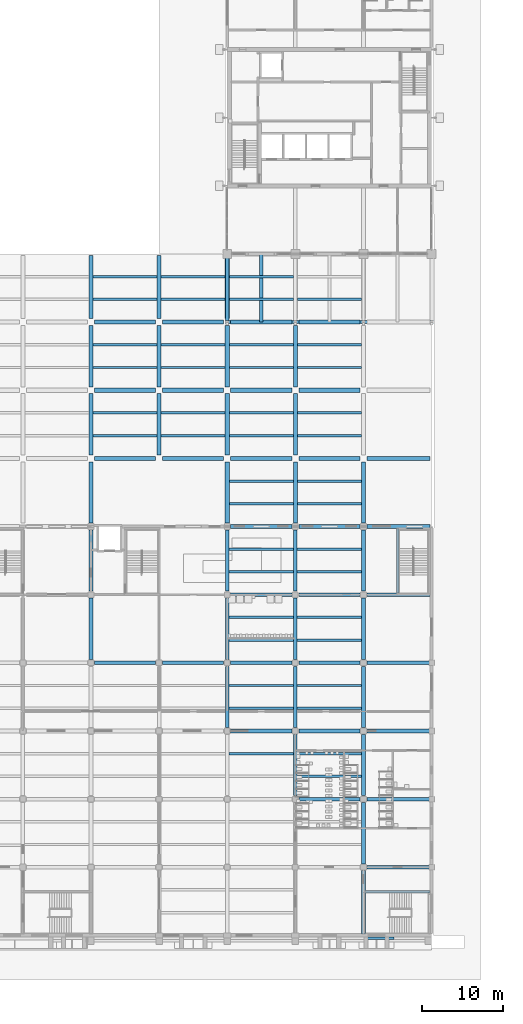
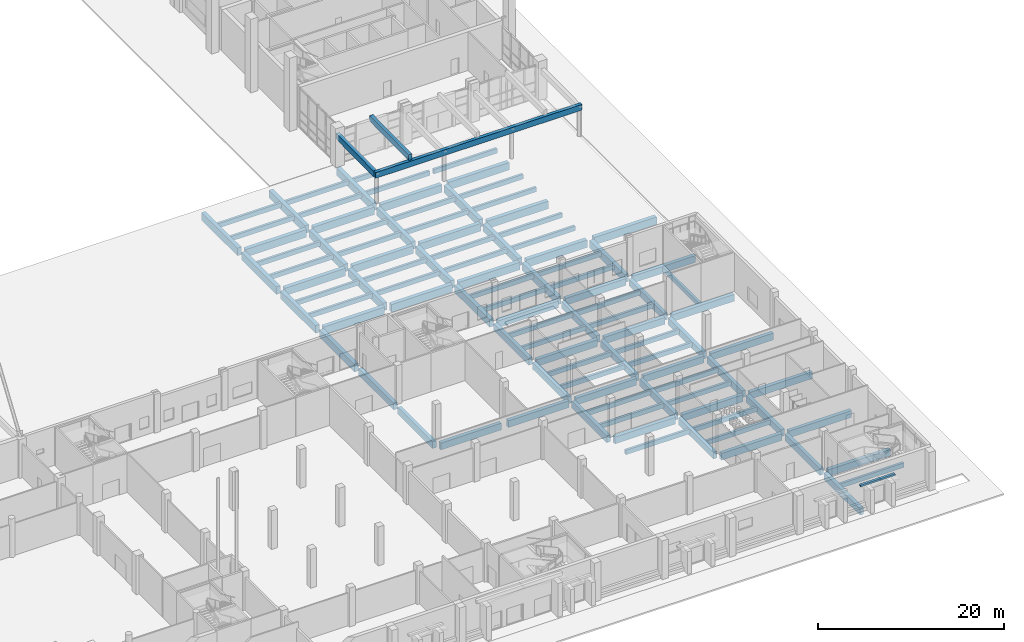
# One storey, part 7 of 74: 108 beams.
"""IFC4 building model written with IfcOpenShell, lengths in metres."""

from ifc_helpers import new_model, si_unit, direction, frame, origin, origin_2d, place, context, subcontext, project, spatial, rectangle, extrude, material, material_profile, profile_set, type_object, element, save


model = new_model("IFC4")

# Units and contexts
model_context = context("Model", 3, precision=1e-05, world=origin(), true_north=direction((0.0, 1.0)))
body_context = subcontext(model_context, "Body", "Model", "MODEL_VIEW")
ifc_project = project(units=[si_unit("LENGTHUNIT", "METRE"), si_unit("AREAUNIT", "SQUARE_METRE"), si_unit("VOLUMEUNIT", "CUBIC_METRE"), si_unit("PLANEANGLEUNIT", "RADIAN"), si_unit("MASSUNIT", "GRAM", prefix="KILO")], contexts=[model_context])

# Site, building, storey
site_placement = place(None, origin())
site = spatial("IfcSite", under=ifc_project, at=site_placement, CompositionType="ELEMENT")
building_placement = place(site_placement, origin())
building = spatial("IfcBuilding", under=site, at=building_placement, Name="Rulbaag Community and Learning Centre", CompositionType="ELEMENT")
storey_placement = place(building_placement, origin())
storey = spatial("IfcBuildingStorey", under=building, at=storey_placement, Name="L00", CompositionType="ELEMENT", Elevation=0.0)

# Beams
ifc_material = material(Name="Concrete M40", Category="concrete")
ifc_material_profile_1 = material_profile(ifc_material, rectangle(XDim=0.449951171875, YDim=0.89990234375, at=origin_2d()), Name="RB450x900")
ifc_profile_set_1 = profile_set([ifc_material_profile_1], Name="Concrete M40")
beam_type_1 = type_object("IfcBeamType", Name="B10 Ground floor beam 450x900 Concrete M40", PredefinedType="BEAM", material=ifc_profile_set_1)
for number, where, z_axis, x_axis, name in (
    (1, (126.429931640625, 33.60009765625, -0.75), (1.0, 0.0, 0.0), (0.0, 1.0, 0.0), "BM-L00-16E-17E"),
    (2, (126.0, 34.030029296875, -0.75), (0.0, 1.0, 0.0), (-1.0, 0.0, 0.0), "BM-L00-16E-16F"),
    (3, (126.0, 42.429931640625, -0.75), (0.0, 1.0, 0.0), (-1.0, 0.0, 0.0), "BM-L00-16F-16G"),
    (4, (134.830078125, 33.60009765625, -0.75), (1.0, 0.0, 0.0), (0.0, 1.0, 0.0), "BM-L00-17E-18E"),
    (5, (143.22998046875, 25.199951171875, -0.75), (1.0, 0.0, 0.0), (0.0, 1.0, 0.0), "BM-L00-18D-19D"),
    (6, (142.800048828125, 25.6298828125, -0.75), (0.0, 1.0, 0.0), (-1.0, 0.0, 0.0), "BM-L00-18D-18E"),
    (7, (143.22998046875, 33.60009765625, -0.75), (1.0, 0.0, 0.0), (0.0, 1.0, 0.0), "BM-L00-18E-19E"),
    (8, (142.800048828125, 34.030029296875, -0.75), (0.0, 1.0, 0.0), (-1.0, 0.0, 0.0), "BM-L00-18E-18F"),
    (9, (143.22998046875, 42.0, -0.75), (1.0, 0.0, 0.0), (0.0, 1.0, 0.0), "BM-L00-18F-19F"),
    (10, (142.800048828125, 42.429931640625, -0.75), (0.0, 1.0, 0.0), (-1.0, 0.0, 0.0), "BM-L00-18F-18G"),
    (11, (143.22998046875, 50.39990234375, -0.75), (1.0, 0.0, 0.0), (0.0, 1.0, 0.0), "BM-L00-18G-19G"),
    (12, (151.6298828125, 16.800048828125, -0.75), (1.0, 0.0, 0.0), (0.0, 1.0, 0.0), "BM-L00-19C-20C"),
    (13, (151.199951171875, 17.22998046875, -0.75), (0.0, 1.0, 0.0), (-1.0, 0.0, 0.0), "BM-L00-19C-19D"),
    (14, (151.6298828125, 25.199951171875, -0.75), (1.0, 0.0, 0.0), (0.0, 1.0, 0.0), "BM-L00-19D-20D"),
    (15, (151.199951171875, 25.6298828125, -0.75), (0.0, 1.0, 0.0), (-1.0, 0.0, 0.0), "BM-L00-19D-19E"),
    (16, (151.6298828125, 33.60009765625, -0.75), (1.0, 0.0, 0.0), (0.0, 1.0, 0.0), "BM-L00-19E-20E"),
    (17, (151.199951171875, 34.030029296875, -0.75), (0.0, 1.0, 0.0), (-1.0, 0.0, 0.0), "BM-L00-19E-19F"),
    (18, (151.6298828125, 42.0, -0.75), (1.0, 0.0, 0.0), (0.0, 1.0, 0.0), "BM-L00-19F-20F"),
    (19, (151.199951171875, 42.429931640625, -0.75), (0.0, 1.0, 0.0), (-1.0, 0.0, 0.0), "BM-L00-19F-19G"),
    (20, (151.6298828125, 50.39990234375, -0.75), (1.0, 0.0, 0.0), (0.0, 1.0, 0.0), "BM-L00-19G-20G"),
):
    element("IfcBeam", number, at=place(storey_placement, frame(where, z_axis=z_axis, x_axis=x_axis)), inside=storey, type_object=beam_type_1, Name=name, PredefinedType="BEAM", context=body_context, shape_type="SweptSolid", body=[
        extrude(rectangle(XDim=0.449951171875, YDim=0.89990234375, at=origin_2d()), origin(), (0.0, 0.0, 1.0), 7.5400390625),
    ])
for number, where, z_axis, x_axis, name in (
    (21, (159.60009765625, 0.199951171875, -0.75), (0.0, 1.0, 0.0), (-1.0, 0.0, 0.0), "BM-L00-20A-20B"),
    (22, (160.030029296875, 8.39990234375, -0.75), (1.0, 0.0, 0.0), (0.0, 1.0, 0.0), "BM-L00-20B-21B"),
):
    element("IfcBeam", number, at=place(storey_placement, frame(where, z_axis=z_axis, x_axis=x_axis)), inside=storey, type_object=beam_type_1, Name=name, PredefinedType="BEAM", context=body_context, shape_type="SweptSolid", body=[
        extrude(rectangle(XDim=0.449951171875, YDim=0.89990234375, at=origin_2d()), origin(), (0.0, 0.0, 1.0), 7.77001953125),
    ])
beam_1_placement = place(storey_placement, frame((159.60009765625, 8.830078125, -0.75), z_axis=(0.0, 1.0, 0.0), x_axis=(-1.0, 0.0, 0.0)))
element("IfcBeam", 23, at=beam_1_placement, inside=storey, type_object=beam_type_1, Name="BM-L00-20B-20C", PredefinedType="BEAM", context=body_context, shape_type="SweptSolid", body=[
    extrude(rectangle(XDim=0.449951171875, YDim=0.89990234375, at=origin_2d()), origin(), (0.0, 0.0, 1.0), 7.5400390625),
])
beam_2_placement = place(storey_placement, frame((160.030029296875, 16.800048828125, -0.75), z_axis=(1.0, 0.0, 0.0), x_axis=(0.0, 1.0, 0.0)))
element("IfcBeam", 24, at=beam_2_placement, inside=storey, type_object=beam_type_1, Name="BM-L00-20C-21C", PredefinedType="BEAM", context=body_context, shape_type="SweptSolid", body=[
    extrude(rectangle(XDim=0.449951171875, YDim=0.89990234375, at=origin_2d()), origin(), (0.0, 0.0, 1.0), 7.77001953125),
])
beam_3_placement = place(storey_placement, frame((159.60009765625, 17.22998046875, -0.75), z_axis=(0.0, 1.0, 0.0), x_axis=(-1.0, 0.0, 0.0)))
element("IfcBeam", 25, at=beam_3_placement, inside=storey, type_object=beam_type_1, Name="BM-L00-20C-20D", PredefinedType="BEAM", context=body_context, shape_type="SweptSolid", body=[
    extrude(rectangle(XDim=0.449951171875, YDim=0.89990234375, at=origin_2d()), origin(), (0.0, 0.0, 1.0), 7.5400390625),
])
beam_4_placement = place(storey_placement, frame((160.030029296875, 25.199951171875, -0.75), z_axis=(1.0, 0.0, 0.0), x_axis=(0.0, 1.0, 0.0)))
element("IfcBeam", 26, at=beam_4_placement, inside=storey, type_object=beam_type_1, Name="BM-L00-20D-21D", PredefinedType="BEAM", context=body_context, shape_type="SweptSolid", body=[
    extrude(rectangle(XDim=0.449951171875, YDim=0.89990234375, at=origin_2d()), origin(), (0.0, 0.0, 1.0), 7.77001953125),
])
beam_5_placement = place(storey_placement, frame((159.60009765625, 25.6298828125, -0.75), z_axis=(0.0, 1.0, 0.0), x_axis=(-1.0, 0.0, 0.0)))
element("IfcBeam", 27, at=beam_5_placement, inside=storey, type_object=beam_type_1, Name="BM-L00-20D-20E", PredefinedType="BEAM", context=body_context, shape_type="SweptSolid", body=[
    extrude(rectangle(XDim=0.449951171875, YDim=0.89990234375, at=origin_2d()), origin(), (0.0, 0.0, 1.0), 7.5400390625),
])
beam_6_placement = place(storey_placement, frame((160.030029296875, 33.60009765625, -0.75), z_axis=(1.0, 0.0, 0.0), x_axis=(0.0, 1.0, 0.0)))
element("IfcBeam", 28, at=beam_6_placement, inside=storey, type_object=beam_type_1, Name="BM-L00-20E-21E", PredefinedType="BEAM", context=body_context, shape_type="SweptSolid", body=[
    extrude(rectangle(XDim=0.449951171875, YDim=0.89990234375, at=origin_2d()), origin(), (0.0, 0.0, 1.0), 7.77001953125),
])
beam_7_placement = place(storey_placement, frame((159.60009765625, 34.030029296875, -0.75), z_axis=(0.0, 1.0, 0.0), x_axis=(-1.0, 0.0, 0.0)))
element("IfcBeam", 29, at=beam_7_placement, inside=storey, type_object=beam_type_1, Name="BM-L00-20E-20F", PredefinedType="BEAM", context=body_context, shape_type="SweptSolid", body=[
    extrude(rectangle(XDim=0.449951171875, YDim=0.89990234375, at=origin_2d()), origin(), (0.0, 0.0, 1.0), 7.5400390625),
])
beam_8_placement = place(storey_placement, frame((160.030029296875, 42.0, -0.75), z_axis=(1.0, 0.0, 0.0), x_axis=(0.0, 1.0, 0.0)))
element("IfcBeam", 30, at=beam_8_placement, inside=storey, type_object=beam_type_1, Name="BM-L00-20F-21F", PredefinedType="BEAM", context=body_context, shape_type="SweptSolid", body=[
    extrude(rectangle(XDim=0.449951171875, YDim=0.89990234375, at=origin_2d()), origin(), (0.0, 0.0, 1.0), 7.77001953125),
])
beam_9_placement = place(storey_placement, frame((159.60009765625, 42.429931640625, -0.75), z_axis=(0.0, 1.0, 0.0), x_axis=(-1.0, 0.0, 0.0)))
element("IfcBeam", 31, at=beam_9_placement, inside=storey, type_object=beam_type_1, Name="BM-L00-20F-20G", PredefinedType="BEAM", context=body_context, shape_type="SweptSolid", body=[
    extrude(rectangle(XDim=0.449951171875, YDim=0.89990234375, at=origin_2d()), origin(), (0.0, 0.0, 1.0), 7.5400390625),
])
beam_10_placement = place(storey_placement, frame((160.030029296875, 50.39990234375, -0.75), z_axis=(1.0, 0.0, 0.0), x_axis=(0.0, 1.0, 0.0)))
element("IfcBeam", 32, at=beam_10_placement, inside=storey, type_object=beam_type_1, Name="BM-L00-20G-21G", PredefinedType="BEAM", context=body_context, shape_type="SweptSolid", body=[
    extrude(rectangle(XDim=0.449951171875, YDim=0.89990234375, at=origin_2d()), origin(), (0.0, 0.0, 1.0), 7.77001953125),
])
ifc_material_profile_2 = material_profile(ifc_material, rectangle(XDim=0.5, YDim=1.0, at=origin_2d()), Name="RB500x1000")
ifc_profile_set_2 = profile_set([ifc_material_profile_2], Name="Concrete M40")
beam_type_2 = type_object("IfcBeamType", Name="B12 Plaza deck beam 500x1000 Concrete M40", PredefinedType="BEAM", material=ifc_profile_set_2)
for number, where, z_axis, x_axis, name in (
    (33, (126.0, 50.830078125, -0.800048828125), (0.0, 1.0, 0.0), (-1.0, 0.0, 0.0), "BM-L00-16G-16H"),
    (34, (126.429931640625, 58.800048828125, -0.800048828125), (1.0, 0.0, 0.0), (0.0, 1.0, 0.0), "BM-L00-16H-17H"),
    (35, (126.0, 59.22998046875, -0.800048828125), (0.0, 1.0, 0.0), (-1.0, 0.0, 0.0), "BM-L00-16H-16I"),
    (36, (126.429931640625, 67.199951171875, -0.800048828125), (1.0, 0.0, 0.0), (0.0, 1.0, 0.0), "BM-L00-16I-17I"),
    (37, (126.0, 67.6298828125, -0.800048828125), (0.0, 1.0, 0.0), (-1.0, 0.0, 0.0), "BM-L00-16I-16J"),
    (38, (126.429931640625, 75.60009765625, -0.800048828125), (1.0, 0.0, 0.0), (0.0, 1.0, 0.0), "BM-L00-16J-17J"),
):
    element("IfcBeam", number, at=place(storey_placement, frame(where, z_axis=z_axis, x_axis=x_axis)), inside=storey, type_object=beam_type_2, Name=name, PredefinedType="BEAM", context=body_context, shape_type="SweptSolid", body=[
        extrude(rectangle(XDim=0.5, YDim=1.0, at=origin_2d()), origin(), (0.0, 0.0, 1.0), 7.5400390625),
    ])
beam_11_placement = place(storey_placement, frame((126.0, 76.030029296875, -0.800048828125), z_axis=(0.0, 1.0, 0.0), x_axis=(-1.0, 0.0, 0.0)))
element("IfcBeam", 39, at=beam_11_placement, inside=storey, type_object=beam_type_2, Name="BM-L00-16J-16K", PredefinedType="BEAM", context=body_context, shape_type="SweptSolid", body=[
    extrude(rectangle(XDim=0.5, YDim=1.0, at=origin_2d()), origin(), (0.0, 0.0, 1.0), 7.77001953125),
])
for number, where, z_axis, x_axis, name in (
    (40, (134.830078125, 58.800048828125, -0.800048828125), (1.0, 0.0, 0.0), (0.0, 1.0, 0.0), "BM-L00-17H-18H"),
    (41, (134.39990234375, 59.22998046875, -0.800048828125), (0.0, 1.0, 0.0), (-1.0, 0.0, 0.0), "BM-L00-17H-17I"),
    (42, (134.830078125, 67.199951171875, -0.800048828125), (1.0, 0.0, 0.0), (0.0, 1.0, 0.0), "BM-L00-17I-18I"),
    (43, (134.39990234375, 67.6298828125, -0.800048828125), (0.0, 1.0, 0.0), (-1.0, 0.0, 0.0), "BM-L00-17I-17J"),
    (44, (134.830078125, 75.60009765625, -0.800048828125), (1.0, 0.0, 0.0), (0.0, 1.0, 0.0), "BM-L00-17J-18J"),
):
    element("IfcBeam", number, at=place(storey_placement, frame(where, z_axis=z_axis, x_axis=x_axis)), inside=storey, type_object=beam_type_2, Name=name, PredefinedType="BEAM", context=body_context, shape_type="SweptSolid", body=[
        extrude(rectangle(XDim=0.5, YDim=1.0, at=origin_2d()), origin(), (0.0, 0.0, 1.0), 7.5400390625),
    ])
beam_12_placement = place(storey_placement, frame((134.39990234375, 76.030029296875, -0.800048828125), z_axis=(0.0, 1.0, 0.0), x_axis=(-1.0, 0.0, 0.0)))
element("IfcBeam", 45, at=beam_12_placement, inside=storey, type_object=beam_type_2, Name="BM-L00-17J-17K", PredefinedType="BEAM", context=body_context, shape_type="SweptSolid", body=[
    extrude(rectangle(XDim=0.5, YDim=1.0, at=origin_2d()), origin(), (0.0, 0.0, 1.0), 7.77001953125),
])
for number, where, z_axis, x_axis, name in (
    (46, (142.800048828125, 50.830078125, -0.800048828125), (0.0, 1.0, 0.0), (-1.0, 0.0, 0.0), "BM-L00-18G-18H"),
    (47, (143.22998046875, 58.800048828125, -0.800048828125), (1.0, 0.0, 0.0), (0.0, 1.0, 0.0), "BM-L00-18H-19H"),
    (48, (142.800048828125, 59.22998046875, -0.800048828125), (0.0, 1.0, 0.0), (-1.0, 0.0, 0.0), "BM-L00-18H-18I"),
    (49, (143.22998046875, 67.199951171875, -0.800048828125), (1.0, 0.0, 0.0), (0.0, 1.0, 0.0), "BM-L00-18I-19I"),
    (50, (142.800048828125, 67.6298828125, -0.800048828125), (0.0, 1.0, 0.0), (-1.0, 0.0, 0.0), "BM-L00-18I-18J"),
    (51, (143.22998046875, 75.60009765625, -0.800048828125), (1.0, 0.0, 0.0), (0.0, 1.0, 0.0), "BM-L00-18J-19J"),
):
    element("IfcBeam", number, at=place(storey_placement, frame(where, z_axis=z_axis, x_axis=x_axis)), inside=storey, type_object=beam_type_2, Name=name, PredefinedType="BEAM", context=body_context, shape_type="SweptSolid", body=[
        extrude(rectangle(XDim=0.5, YDim=1.0, at=origin_2d()), origin(), (0.0, 0.0, 1.0), 7.5400390625),
    ])
beam_13_placement = place(storey_placement, frame((142.800048828125, 76.030029296875, -0.800048828125), z_axis=(0.0, 1.0, 0.0), x_axis=(-1.0, 0.0, 0.0)))
element("IfcBeam", 52, at=beam_13_placement, inside=storey, type_object=beam_type_2, Name="BM-L00-18J-18K", PredefinedType="BEAM", context=body_context, shape_type="SweptSolid", body=[
    extrude(rectangle(XDim=0.5, YDim=1.0, at=origin_2d()), origin(), (0.0, 0.0, 1.0), 7.77001953125),
])
for number, where, z_axis, x_axis, name in (
    (53, (151.199951171875, 50.830078125, -0.800048828125), (0.0, 1.0, 0.0), (-1.0, 0.0, 0.0), "BM-L00-19G-19H"),
    (54, (151.6298828125, 58.800048828125, -0.800048828125), (1.0, 0.0, 0.0), (0.0, 1.0, 0.0), "BM-L00-19H-20H"),
    (55, (151.199951171875, 59.22998046875, -0.800048828125), (0.0, 1.0, 0.0), (-1.0, 0.0, 0.0), "BM-L00-19H-19I"),
    (56, (151.6298828125, 67.199951171875, -0.800048828125), (1.0, 0.0, 0.0), (0.0, 1.0, 0.0), "BM-L00-19I-20I"),
    (57, (151.199951171875, 67.6298828125, -0.800048828125), (0.0, 1.0, 0.0), (-1.0, 0.0, 0.0), "BM-L00-19I-19J"),
    (58, (151.6298828125, 75.60009765625, -0.800048828125), (1.0, 0.0, 0.0), (0.0, 1.0, 0.0), "BM-L00-19J-20J"),
    (59, (159.60009765625, 50.830078125, -0.800048828125), (0.0, 1.0, 0.0), (-1.0, 0.0, 0.0), "BM-L00-20G-20H"),
):
    element("IfcBeam", number, at=place(storey_placement, frame(where, z_axis=z_axis, x_axis=x_axis)), inside=storey, type_object=beam_type_2, Name=name, PredefinedType="BEAM", context=body_context, shape_type="SweptSolid", body=[
        extrude(rectangle(XDim=0.5, YDim=1.0, at=origin_2d()), origin(), (0.0, 0.0, 1.0), 7.5400390625),
    ])
beam_14_placement = place(storey_placement, frame((160.030029296875, 58.800048828125, -0.800048828125), z_axis=(1.0, 0.0, 0.0), x_axis=(0.0, 1.0, 0.0)))
element("IfcBeam", 60, at=beam_14_placement, inside=storey, type_object=beam_type_2, Name="BM-L00-20H-21H", PredefinedType="BEAM", context=body_context, shape_type="SweptSolid", body=[
    extrude(rectangle(XDim=0.5, YDim=1.0, at=origin_2d()), origin(), (0.0, 0.0, 1.0), 7.77001953125),
])
ifc_material_profile_3 = material_profile(ifc_material, rectangle(XDim=0.300048828125, YDim=0.60009765625, at=origin_2d()), Name="RB300x600")
ifc_profile_set_3 = profile_set([ifc_material_profile_3], Name="Concrete M40")
beam_type_3 = type_object("IfcBeamType", Name="B30 Secondary joist 300x600 Concrete M40", PredefinedType="BEAM", material=ifc_profile_set_3)
for number, where, z_axis, x_axis, name in (
    (61, (126.25, 61.60009765625, -0.60009765625), (1.0, 0.0, 0.0), (0.0, 1.0, 0.0), "BM-JS-L00-16H-1"),
    (62, (126.25, 64.39990234375, -0.60009765625), (1.0, 0.0, 0.0), (0.0, 1.0, 0.0), "BM-JS-L00-16H-2"),
    (63, (126.25, 70.0, -0.60009765625), (1.0, 0.0, 0.0), (0.0, 1.0, 0.0), "BM-JS-L00-16I-1"),
    (64, (126.25, 72.800048828125, -0.60009765625), (1.0, 0.0, 0.0), (0.0, 1.0, 0.0), "BM-JS-L00-16I-2"),
    (65, (126.25, 78.39990234375, -0.60009765625), (1.0, 0.0, 0.0), (0.0, 1.0, 0.0), "BM-JS-L00-16J-1"),
    (66, (126.25, 81.199951171875, -0.60009765625), (1.0, 0.0, 0.0), (0.0, 1.0, 0.0), "BM-JS-L00-16J-2"),
):
    element("IfcBeam", number, at=place(storey_placement, frame(where, z_axis=z_axis, x_axis=x_axis)), inside=storey, type_object=beam_type_3, Name=name, PredefinedType="BEAM", context=body_context, shape_type="SweptSolid", body=[
        extrude(rectangle(XDim=0.300048828125, YDim=0.60009765625, at=origin_2d()), origin(), (0.0, 0.0, 1.0), 7.89990234375),
    ])
for number, where, z_axis, x_axis, name in (
    (67, (134.64990234375, 61.60009765625, -0.60009765625), (1.0, 0.0, 0.0), (0.0, 1.0, 0.0), "BM-JS-L00-17H-1"),
    (68, (134.64990234375, 64.39990234375, -0.60009765625), (1.0, 0.0, 0.0), (0.0, 1.0, 0.0), "BM-JS-L00-17H-2"),
    (69, (134.64990234375, 70.0, -0.60009765625), (1.0, 0.0, 0.0), (0.0, 1.0, 0.0), "BM-JS-L00-17I-1"),
    (70, (134.64990234375, 72.800048828125, -0.60009765625), (1.0, 0.0, 0.0), (0.0, 1.0, 0.0), "BM-JS-L00-17I-2"),
    (71, (134.64990234375, 78.39990234375, -0.60009765625), (1.0, 0.0, 0.0), (0.0, 1.0, 0.0), "BM-JS-L00-17J-1"),
    (72, (134.64990234375, 81.199951171875, -0.60009765625), (1.0, 0.0, 0.0), (0.0, 1.0, 0.0), "BM-JS-L00-17J-2"),
):
    element("IfcBeam", number, at=place(storey_placement, frame(where, z_axis=z_axis, x_axis=x_axis)), inside=storey, type_object=beam_type_3, Name=name, PredefinedType="BEAM", context=body_context, shape_type="SweptSolid", body=[
        extrude(rectangle(XDim=0.300048828125, YDim=0.60009765625, at=origin_2d()), origin(), (0.0, 0.0, 1.0), 7.900146484375),
    ])
for number, where, z_axis, x_axis, name in (
    (73, (143.02490234375, 22.39990234375, -0.60009765625), (1.0, 0.0, 0.0), (0.0, 1.0, 0.0), "BM-JS-L00-18C-2"),
    (74, (143.02490234375, 28.0, -0.60009765625), (1.0, 0.0, 0.0), (0.0, 1.0, 0.0), "BM-JS-L00-18D-1"),
    (75, (143.02490234375, 30.800048828125, -0.60009765625), (1.0, 0.0, 0.0), (0.0, 1.0, 0.0), "BM-JS-L00-18D-2"),
    (76, (143.02490234375, 36.39990234375, -0.60009765625), (1.0, 0.0, 0.0), (0.0, 1.0, 0.0), "BM-JS-L00-18E-1"),
    (77, (143.02490234375, 39.199951171875, -0.60009765625), (1.0, 0.0, 0.0), (0.0, 1.0, 0.0), "BM-JS-L00-18E-2"),
    (78, (143.02490234375, 44.800048828125, -0.60009765625), (1.0, 0.0, 0.0), (0.0, 1.0, 0.0), "BM-JS-L00-18F-1"),
    (79, (143.02490234375, 47.60009765625, -0.60009765625), (1.0, 0.0, 0.0), (0.0, 1.0, 0.0), "BM-JS-L00-18F-2"),
):
    element("IfcBeam", number, at=place(storey_placement, frame(where, z_axis=z_axis, x_axis=x_axis)), inside=storey, type_object=beam_type_3, Name=name, PredefinedType="BEAM", context=body_context, shape_type="SweptSolid", body=[
        extrude(rectangle(XDim=0.300048828125, YDim=0.60009765625, at=origin_2d()), origin(), (0.0, 0.0, 1.0), 7.9501953125),
    ])
for number, where, z_axis, x_axis, name in (
    (80, (143.050048828125, 53.199951171875, -0.60009765625), (1.0, 0.0, 0.0), (0.0, 1.0, 0.0), "BM-JS-L00-18G-1"),
    (81, (143.050048828125, 56.0, -0.60009765625), (1.0, 0.0, 0.0), (0.0, 1.0, 0.0), "BM-JS-L00-18G-2"),
    (82, (143.050048828125, 61.60009765625, -0.60009765625), (1.0, 0.0, 0.0), (0.0, 1.0, 0.0), "BM-JS-L00-18H-1"),
    (83, (143.050048828125, 64.39990234375, -0.60009765625), (1.0, 0.0, 0.0), (0.0, 1.0, 0.0), "BM-JS-L00-18H-2"),
    (84, (143.050048828125, 70.0, -0.60009765625), (1.0, 0.0, 0.0), (0.0, 1.0, 0.0), "BM-JS-L00-18I-1"),
    (85, (143.050048828125, 72.800048828125, -0.60009765625), (1.0, 0.0, 0.0), (0.0, 1.0, 0.0), "BM-JS-L00-18I-2"),
    (86, (143.050048828125, 78.39990234375, -0.60009765625), (1.0, 0.0, 0.0), (0.0, 1.0, 0.0), "BM-JS-L00-18J-1"),
    (87, (143.050048828125, 81.199951171875, -0.60009765625), (1.0, 0.0, 0.0), (0.0, 1.0, 0.0), "BM-JS-L00-18J-2"),
):
    element("IfcBeam", number, at=place(storey_placement, frame(where, z_axis=z_axis, x_axis=x_axis)), inside=storey, type_object=beam_type_3, Name=name, PredefinedType="BEAM", context=body_context, shape_type="SweptSolid", body=[
        extrude(rectangle(XDim=0.300048828125, YDim=0.60009765625, at=origin_2d()), origin(), (0.0, 0.0, 1.0), 7.89990234375),
    ])
for number, where, z_axis, x_axis, name in (
    (88, (151.425048828125, 19.60009765625, -0.60009765625), (1.0, 0.0, 0.0), (0.0, 1.0, 0.0), "BM-JS-L00-19C-1"),
    (89, (151.425048828125, 22.39990234375, -0.60009765625), (1.0, 0.0, 0.0), (0.0, 1.0, 0.0), "BM-JS-L00-19C-2"),
    (90, (151.425048828125, 28.0, -0.60009765625), (1.0, 0.0, 0.0), (0.0, 1.0, 0.0), "BM-JS-L00-19D-1"),
    (91, (151.425048828125, 30.800048828125, -0.60009765625), (1.0, 0.0, 0.0), (0.0, 1.0, 0.0), "BM-JS-L00-19D-2"),
    (92, (151.425048828125, 36.39990234375, -0.60009765625), (1.0, 0.0, 0.0), (0.0, 1.0, 0.0), "BM-JS-L00-19E-1"),
    (93, (151.425048828125, 39.199951171875, -0.60009765625), (1.0, 0.0, 0.0), (0.0, 1.0, 0.0), "BM-JS-L00-19E-2"),
    (94, (151.425048828125, 44.800048828125, -0.60009765625), (1.0, 0.0, 0.0), (0.0, 1.0, 0.0), "BM-JS-L00-19F-1"),
    (95, (151.425048828125, 47.60009765625, -0.60009765625), (1.0, 0.0, 0.0), (0.0, 1.0, 0.0), "BM-JS-L00-19F-2"),
):
    element("IfcBeam", number, at=place(storey_placement, frame(where, z_axis=z_axis, x_axis=x_axis)), inside=storey, type_object=beam_type_3, Name=name, PredefinedType="BEAM", context=body_context, shape_type="SweptSolid", body=[
        extrude(rectangle(XDim=0.300048828125, YDim=0.60009765625, at=origin_2d()), origin(), (0.0, 0.0, 1.0), 7.949951171875),
    ])
for number, where, z_axis, x_axis, name in (
    (96, (151.449951171875, 53.199951171875, -0.60009765625), (1.0, 0.0, 0.0), (0.0, 1.0, 0.0), "BM-JS-L00-19G-1"),
    (97, (151.449951171875, 56.0, -0.60009765625), (1.0, 0.0, 0.0), (0.0, 1.0, 0.0), "BM-JS-L00-19G-2"),
    (98, (151.449951171875, 61.60009765625, -0.60009765625), (1.0, 0.0, 0.0), (0.0, 1.0, 0.0), "BM-JS-L00-19H-1"),
    (99, (151.449951171875, 64.39990234375, -0.60009765625), (1.0, 0.0, 0.0), (0.0, 1.0, 0.0), "BM-JS-L00-19H-2"),
    (100, (151.449951171875, 70.0, -0.60009765625), (1.0, 0.0, 0.0), (0.0, 1.0, 0.0), "BM-JS-L00-19I-1"),
    (101, (151.449951171875, 72.800048828125, -0.60009765625), (1.0, 0.0, 0.0), (0.0, 1.0, 0.0), "BM-JS-L00-19I-2"),
    (102, (151.449951171875, 78.39990234375, -0.60009765625), (1.0, 0.0, 0.0), (0.0, 1.0, 0.0), "BM-JS-L00-19J-1"),
):
    element("IfcBeam", number, at=place(storey_placement, frame(where, z_axis=z_axis, x_axis=x_axis)), inside=storey, type_object=beam_type_3, Name=name, PredefinedType="BEAM", context=body_context, shape_type="SweptSolid", body=[
        extrude(rectangle(XDim=0.300048828125, YDim=0.60009765625, at=origin_2d()), origin(), (0.0, 0.0, 1.0), 7.900146484375),
    ])
ifc_material_profile_4 = material_profile(ifc_material, rectangle(XDim=0.300048828125, YDim=0.219970703125, at=origin_2d()), Name="RB300x220")
ifc_profile_set_4 = profile_set([ifc_material_profile_4], Name="Concrete M40")
beam_type_4 = type_object("IfcBeamType", Name="B38 Portal lintel beam 300x220 Concrete M40", PredefinedType="BEAM", material=ifc_profile_set_4)
beam_15_placement = place(storey_placement, frame((159.050048828125, -0.375, 3.18994140625), z_axis=(1.0, 0.0, 0.0), x_axis=(0.0, 1.0, 0.0)))
element("IfcBeam", 103, at=beam_15_placement, inside=storey, type_object=beam_type_4, Name="BM-PORTAL-12B", PredefinedType="BEAM", context=body_context, shape_type="SweptSolid", body=[
    extrude(rectangle(XDim=0.300048828125, YDim=0.219970703125, at=origin_2d()), origin(), (0.0, 0.0, 1.0), 4.300048828125),
])
ifc_material_profile_5 = material_profile(ifc_material, rectangle(XDim=0.39990234375, YDim=0.75, at=origin_2d()), Name="RB400x750")
ifc_profile_set_5 = profile_set([ifc_material_profile_5], Name="Concrete M40")
beam_type_5 = type_object("IfcBeamType", Name="BP1 Porch valley beam 400x750 Concrete M40", PredefinedType="BEAM", material=ifc_profile_set_5)
beam_16_placement = place(storey_placement, frame((142.800048828125, 84.0, 3.72314453125), z_axis=(0.0, -0.999954332431, -0.009556832724), x_axis=(1.0, 0.0, 0.0)))
element("IfcBeam", 104, at=beam_16_placement, inside=storey, type_object=beam_type_5, Name="BM-PORCH-T1", PredefinedType="BEAM", context=body_context, shape_type="SweptSolid", body=[
    extrude(rectangle(XDim=0.39990234375, YDim=0.75, at=origin_2d()), origin(), (0.0, 0.0, 1.0), 8.200439453125),
])
beam_17_placement = place(storey_placement, frame((147.0, 84.0, 4.580322265625), z_axis=(0.0, -0.999954284482, -0.009561848503), x_axis=(1.0, 0.0, 0.0)))
element("IfcBeam", 105, at=beam_17_placement, inside=storey, type_object=beam_type_5, Name="BM-PORCH-TR1", PredefinedType="BEAM", context=body_context, shape_type="SweptSolid", body=[
    extrude(rectangle(XDim=0.39990234375, YDim=0.75, at=origin_2d()), origin(), (0.0, 0.0, 1.0), 8.400390625),
])
beam_18_placement = place(storey_placement, frame((142.574951171875, 75.60009765625, 3.75), z_axis=(1.0, 0.0, 0.0), x_axis=(0.0, 1.0, 0.0)))
element("IfcBeam", 106, at=beam_18_placement, inside=storey, type_object=beam_type_5, Name="BM-PORCH-TE", PredefinedType="BEAM", context=body_context, shape_type="SweptSolid", body=[
    extrude(rectangle(XDim=0.39990234375, YDim=0.75, at=origin_2d()), origin(), (0.0, 0.0, 1.0), 25.650146484375),
])
ifc_material_profile_6 = material_profile(ifc_material, rectangle(XDim=0.300048828125, YDim=0.60009765625, at=origin_2d()), Name="RB300x600")
ifc_profile_set_6 = profile_set([ifc_material_profile_6], Name="Concrete M40")
beam_type_6 = type_object("IfcBeamType", Name="BWS Stair wall trimmer beam 300x600 Concrete M40", PredefinedType="BEAM", material=ifc_profile_set_6)
beam_19_placement = place(storey_placement, frame((163.800048828125, 42.215087890625, -0.60009765625), z_axis=(0.0, 1.0, 0.0), x_axis=(-1.0, 0.0, 0.0)))
element("IfcBeam", 107, at=beam_19_placement, inside=storey, type_object=beam_type_6, Name="Stair wall trimmer beam SH4 W", PredefinedType="BEAM", context=body_context, shape_type="SweptSolid", body=[
    extrude(rectangle(XDim=0.300048828125, YDim=0.60009765625, at=origin_2d()), origin(), (0.0, 0.0, 1.0), 7.969970703125),
])
beam_20_placement = place(storey_placement, frame((159.81494140625, 5.39990234375, -0.60009765625), z_axis=(1.0, 0.0, 0.0), x_axis=(0.0, 1.0, 0.0)))
element("IfcBeam", 108, at=beam_20_placement, inside=storey, type_object=beam_type_6, Name="Stair wall trimmer beam SH10 N", PredefinedType="BEAM", context=body_context, shape_type="SweptSolid", body=[
    extrude(rectangle(XDim=0.300048828125, YDim=0.60009765625, at=origin_2d()), origin(), (0.0, 0.0, 1.0), 7.985107421875),
])

save(model, "model.ifc")
